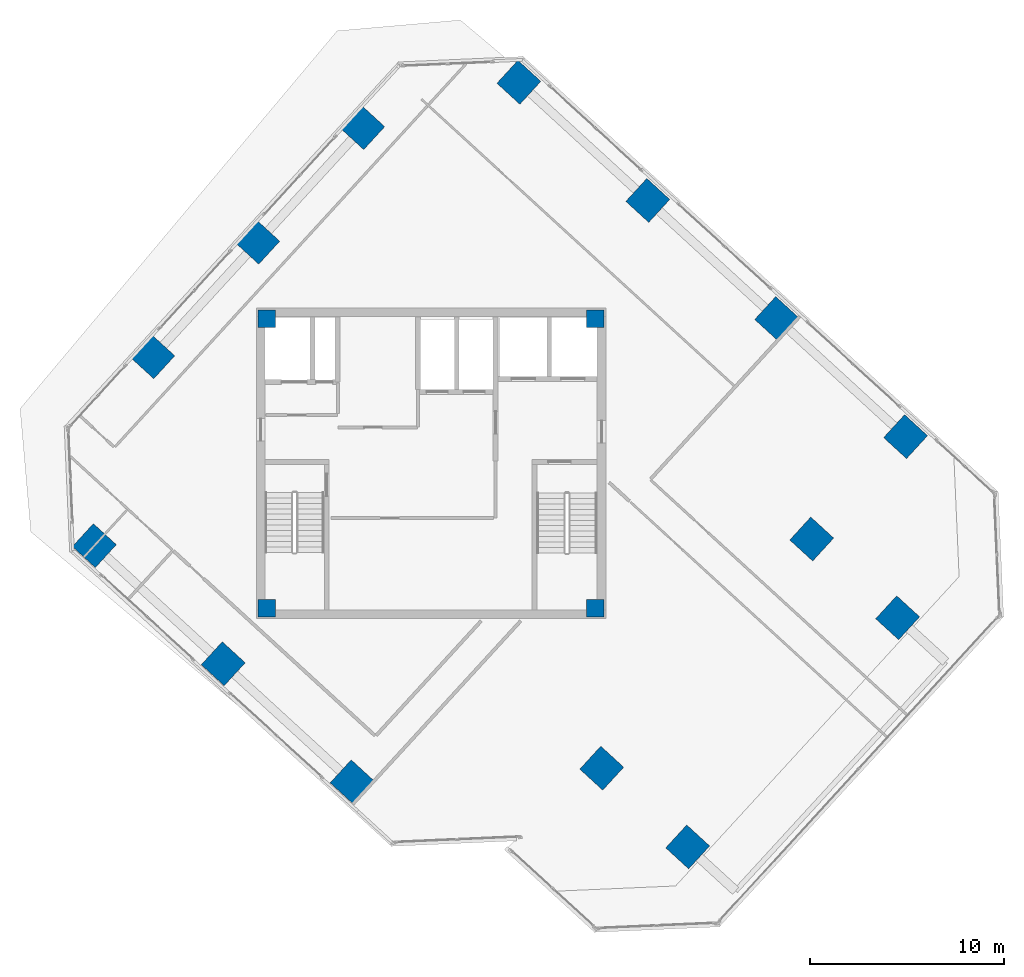
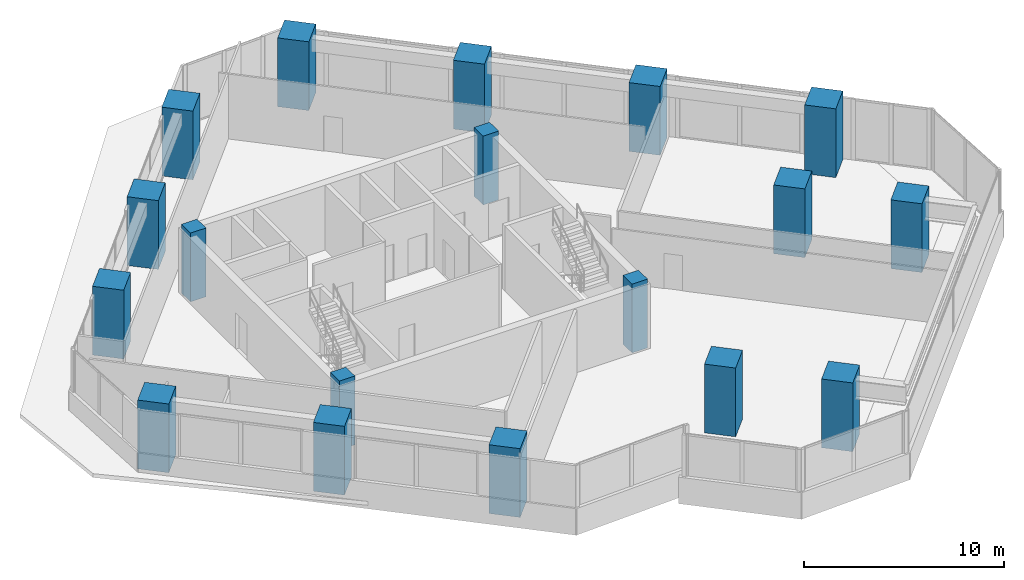
# One storey, part 1 of 19: 18 columns.
"""IFC4 building model written with IfcOpenShell, lengths in metres."""

from ifc_helpers import new_model, si_unit, direction, frame, origin, origin_2d, place, context, subcontext, project, spatial, rectangle, extrude, source, transform, mapped, material, material_profile, profile_set, type_object, element, save


model = new_model("IFC4")

# Units and contexts
model_context = context("Model", 3, precision=1e-05, world=origin(), true_north=direction((0.0, 1.0)))
body_context = subcontext(model_context, "Body", "Model", "MODEL_VIEW")
ifc_project = project(units=[si_unit("LENGTHUNIT", "METRE"), si_unit("AREAUNIT", "SQUARE_METRE"), si_unit("VOLUMEUNIT", "CUBIC_METRE"), si_unit("PLANEANGLEUNIT", "RADIAN"), si_unit("MASSUNIT", "GRAM", prefix="KILO")], contexts=[model_context])

# Site, building, storey
site_placement = place(None, origin())
site = spatial("IfcSite", under=ifc_project, at=site_placement, CompositionType="ELEMENT")
building_placement = place(site_placement, origin())
building = spatial("IfcBuilding", under=site, at=building_placement, Name="Torre Montelarca", CompositionType="ELEMENT")
storey_placement = place(building_placement, frame((0.0, 0.0, 229.0)))
storey = spatial("IfcBuildingStorey", under=building, at=storey_placement, Name="L51", CompositionType="ELEMENT", Elevation=229.0)

# Columns
ifc_material_1 = material(Name="Concrete C55/67", Category="concrete")
ifc_material_profile_1 = material_profile(ifc_material_1, rectangle(XDim=0.89990234375, YDim=0.89990234375, at=origin_2d()), Name="RC900X900", Category="concrete")
ifc_profile_set_1 = profile_set([ifc_material_profile_1], Name="Concrete C55/67")
column_type_1 = type_object("IfcColumnType", Name="COL-RC900", PredefinedType="COLUMN", material=ifc_profile_set_1)
shared_shape_1 = source(origin(), body_context, "Body", "SweptSolid", [
    extrude(rectangle(XDim=0.89990234375, YDim=0.89990234375, at=origin_2d()), origin(), (0.0, 0.0, 1.0), 4.198486328125),
])
for number, where, z_axis, x_axis, name in (
    (1, (9.550048828125, 24.550048828125, 0.000732421875), (0.0, 0.0, 1.0), (1.0, 0.0, 0.0), "L51 Plumb Core Corner Column 2D"),
    (2, (26.449951171875, 24.550048828125, 0.000732421875), (0.0, 0.0, 1.0), (1.0, 0.0, 0.0), "L51 Plumb Core Corner Column 4D"),
    (3, (9.550048828125, 39.449951171875, 0.000732421875), (0.0, 0.0, 1.0), (1.0, 0.0, 0.0), "L51 Plumb Core Corner Column 2F"),
    (4, (26.449951171875, 39.449951171875, 0.000732421875), (0.0, 0.0, 1.0), (1.0, 0.0, 0.0), "L51 Plumb Core Corner Column 4F"),
):
    element("IfcColumn", number, at=place(storey_placement, frame(where, z_axis=z_axis, x_axis=x_axis)), inside=storey, type_object=column_type_1, Name=name, PredefinedType="COLUMN", context=body_context, shape_type="MappedRepresentation", body=[
        mapped(shared_shape_1, transform((0.0, 0.0, 0.0), scale=1.0)),
    ])
ifc_material_2 = material(Name="Concrete C70/85", Category="concrete")
ifc_material_profile_2 = material_profile(ifc_material_2, rectangle(XDim=1.60009765625, YDim=1.60009765625, at=origin_2d()), Name="RC1600X1600", Category="concrete")
ifc_profile_set_2 = profile_set([ifc_material_profile_2], Name="Concrete C70/85")
column_type_2 = type_object("IfcColumnType", Name="COL-RC1600-EXT", PredefinedType="COLUMN", material=ifc_profile_set_2)
shared_shape_2 = source(origin(), body_context, "Body", "SweptSolid", [
    extrude(rectangle(XDim=1.60009765625, YDim=1.60009765625, at=origin_2d()), origin(), (0.0, 0.0, 1.0), 4.198486328125),
])
for number, where, z_axis, x_axis, name in (
    (5, (0.663818359375, 27.763671875, 0.000732421875), (0.0, 0.0, 1.0), (-0.73727733681, 0.675590207616, 0.0), "L51 Perimeter Mega Column 2/CS"),
    (6, (22.519287109375, 51.614501953125, 0.000732421875), (0.0, 0.0, 1.0), (-0.73727733681, 0.675590207616, 0.0), "L51 Perimeter Mega Column 2/GN"),
    (7, (7.29931640625, 21.683349609375, 0.000732421875), (0.0, 0.0, 1.0), (-0.73727733681, 0.675590207616, 0.0), "L51 Perimeter Mega Column 3/CS"),
    (8, (29.15478515625, 45.5341796875, 0.000732421875), (0.0, 0.0, 1.0), (-0.73727733681, 0.675590207616, 0.0), "L51 Perimeter Mega Column 3/GN"),
    (9, (13.934814453125, 15.60302734375, 0.000732421875), (0.0, 0.0, 1.0), (-0.73727733681, 0.675590207616, 0.0), "L51 Perimeter Mega Column 4/CS"),
    (10, (35.790283203125, 39.4541015625, 0.000732421875), (0.0, 0.0, 1.0), (-0.73727733681, 0.675590207616, 0.0), "L51 Perimeter Mega Column 4/GN"),
    (11, (42.42578125, 33.373779296875, 0.000732421875), (0.0, 0.0, 1.0), (-0.73727733681, 0.675590207616, 0.0), "L51 Perimeter Mega Column 5/GN"),
    (12, (31.20947265625, 12.252197265625, 0.000732421875), (0.0, 0.0, 1.0), (-0.73727733681, 0.675590207616, 0.0), "L51 Perimeter Mega Column 6/D"),
    (13, (42.018798828125, 24.048583984375, 0.000732421875), (0.0, 0.0, 1.0), (-0.73727733681, 0.675590207616, 0.0), "L51 Perimeter Mega Column 6/F"),
    (14, (3.672119140625, 37.485595703125, 0.000732421875), (0.0, 0.0, 1.0), (-0.73727733681, 0.675590207616, 0.0), "L51 Perimeter Mega Column 1W/D"),
    (15, (9.076904296875, 43.3837890625, 0.000732421875), (0.0, 0.0, 1.0), (-0.73727733681, 0.675590207616, 0.0), "L51 Perimeter Mega Column 1W/E"),
    (16, (14.481689453125, 49.281982421875, 0.000732421875), (0.0, 0.0, 1.0), (-0.73727733681, 0.675590207616, 0.0), "L51 Perimeter Mega Column 1W/F"),
):
    element("IfcColumn", number, at=place(storey_placement, frame(where, z_axis=z_axis, x_axis=x_axis)), inside=storey, type_object=column_type_2, Name=name, PredefinedType="COLUMN", context=body_context, shape_type="MappedRepresentation", body=[
        mapped(shared_shape_2, transform((0.0, 0.0, 0.0), scale=1.0)),
    ])
ifc_material_profile_3 = material_profile(ifc_material_2, rectangle(XDim=1.60009765625, YDim=1.60009765625, at=origin_2d()), Name="RC1600X1600", Category="concrete")
ifc_profile_set_3 = profile_set([ifc_material_profile_3], Name="Concrete C70/85")
column_type_3 = type_object("IfcColumnType", Name="COL-RC1600", PredefinedType="COLUMN", material=ifc_profile_set_3)
shared_shape_3 = source(origin(), body_context, "Body", "SweptSolid", [
    extrude(rectangle(XDim=1.60009765625, YDim=1.60009765625, at=origin_2d()), origin(), (0.0, 0.0, 1.0), 4.198486328125),
])
for number, where, z_axis, x_axis, name in (
    (17, (26.785888671875, 16.3056640625, 0.000732421875), (0.0, 0.0, 1.0), (-0.73727733681, 0.675590207616, 0.0), "L51 Column 5/D"),
    (18, (37.59521484375, 28.102294921875, 0.000732421875), (0.0, 0.0, 1.0), (-0.73727733681, 0.675590207616, 0.0), "L51 Column 5/F"),
):
    element("IfcColumn", number, at=place(storey_placement, frame(where, z_axis=z_axis, x_axis=x_axis)), inside=storey, type_object=column_type_3, Name=name, PredefinedType="COLUMN", context=body_context, shape_type="MappedRepresentation", body=[
        mapped(shared_shape_3, transform((0.0, 0.0, 0.0), scale=1.0)),
    ])

save(model, "model.ifc")
